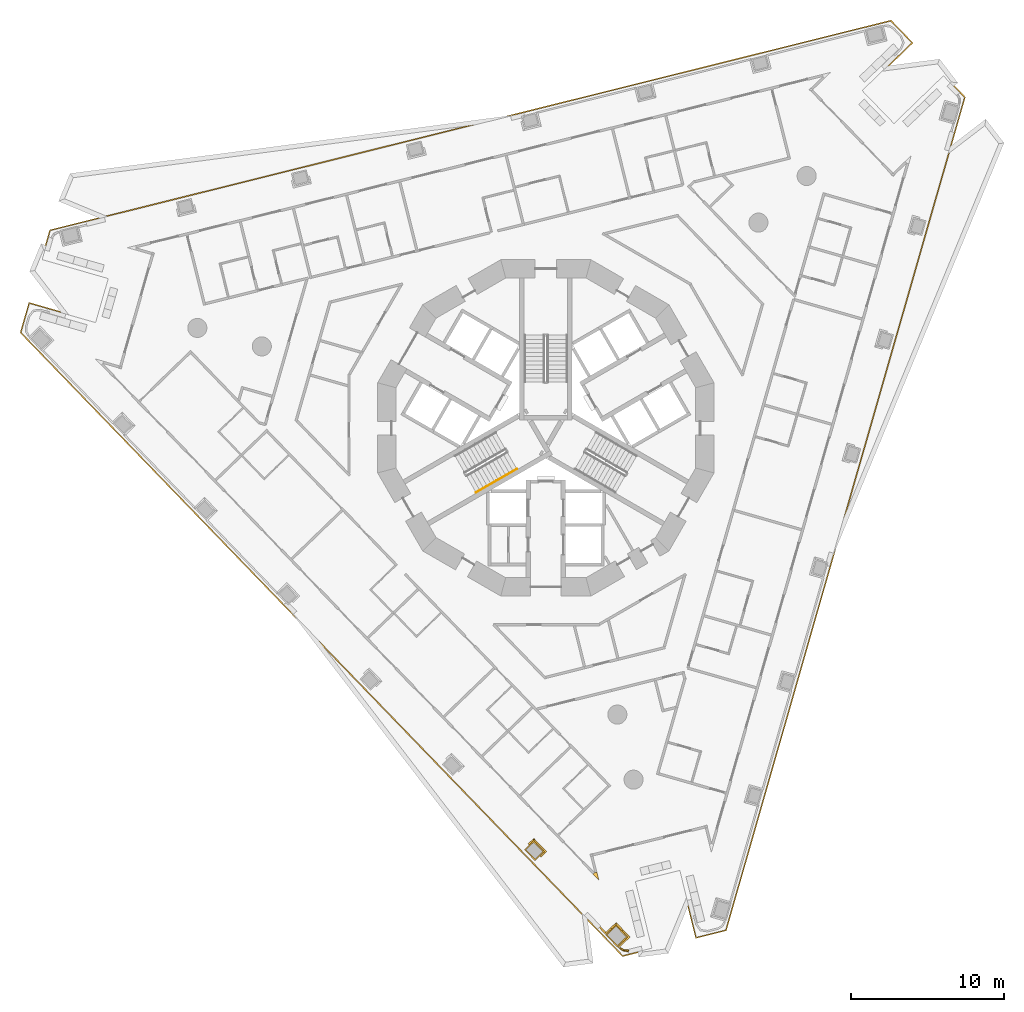
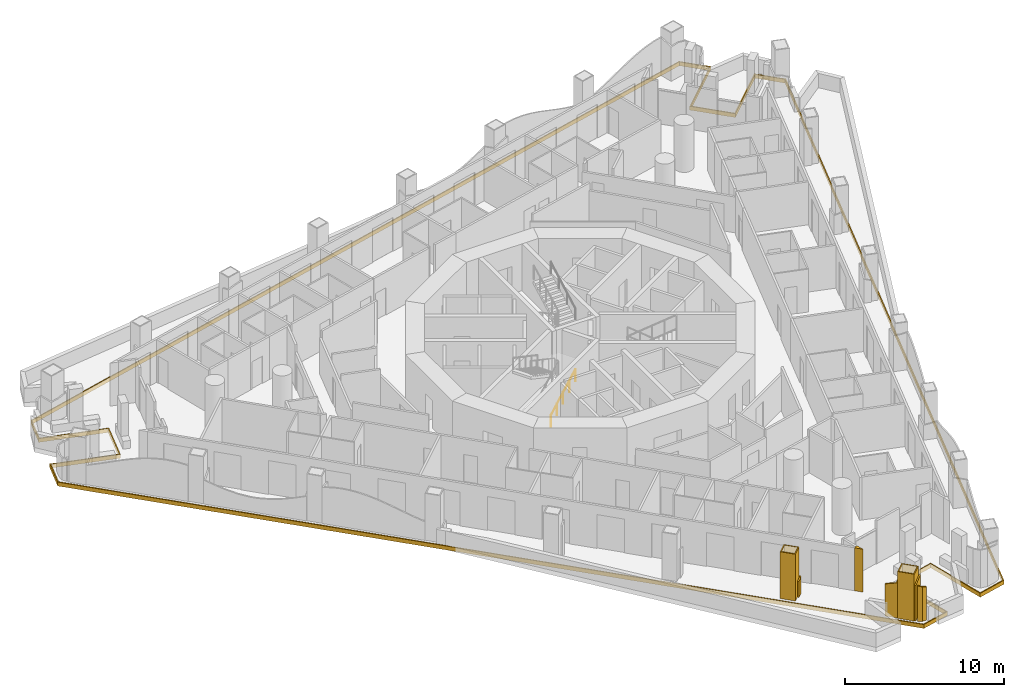
# One storey, part 13 of 19: 5 railings, 4 coverings.
"""IFC4 building model written with IfcOpenShell, lengths in metres."""

from ifc_helpers import new_model, si_unit, direction, frame, origin, origin_2d, place, context, subcontext, project, spatial, polyline, circle, outline, extrude, material, layer, layer_set, type_object, element, save


model = new_model("IFC4")

# Units and contexts
model_context = context("Model", 3, precision=1e-05, world=origin(), true_north=direction((0.0, 1.0)))
body_context = subcontext(model_context, "Body", "Model", "MODEL_VIEW")
ifc_project = project(units=[si_unit("LENGTHUNIT", "METRE"), si_unit("AREAUNIT", "SQUARE_METRE"), si_unit("VOLUMEUNIT", "CUBIC_METRE"), si_unit("PLANEANGLEUNIT", "RADIAN"), si_unit("MASSUNIT", "GRAM", prefix="KILO")], contexts=[model_context])

# Site, building, storey
site_placement = place(None, origin())
site = spatial("IfcSite", under=ifc_project, at=site_placement, CompositionType="ELEMENT")
building_placement = place(site_placement, origin())
building = spatial("IfcBuilding", under=site, at=building_placement, Name="Trine Commons Tower", CompositionType="ELEMENT")
storey_placement = place(building_placement, frame((0.0, 0.0, 87.300048828125)))
storey = spatial("IfcBuildingStorey", under=building, at=storey_placement, Name="L21", CompositionType="ELEMENT", Elevation=87.300048828125)

# Coverings
ifc_material_1 = material(Name="Aluminium-framed insulated wall panel", Category="aluminium")
ifc_layer_1 = layer(ifc_material_1, 0.14990234375)
ifc_layer_set_1 = layer_set([ifc_layer_1], Name="Aluminium-framed insulated wall panel")
covering_type_1 = type_object("IfcCoveringType", Name="Glazing corner post, aluminium", PredefinedType="CLADDING", material=ifc_layer_set_1)
covering_1_placement = place(storey_placement, origin())
element("IfcCovering", 1, at=covering_1_placement, inside=storey, type_object=covering_type_1, Name="Glazing corner post 3-12", PredefinedType="CLADDING", context=body_context, shape_type="SweptSolid", body=[
    extrude(outline(polyline([(83.093017578125, 33.271484375), (83.48193359375, 32.868896484375), (83.346435546875, 33.412109375), (83.200927734375, 33.375732421875), (83.093017578125, 33.271484375)])), origin(), (0.0, 0.0, 1.0), 3.300048828125),
])
ifc_material_2 = material(Name="Limestone, honed", Category="masonry")
ifc_layer_2 = layer(ifc_material_2, 0.074951171875)
ifc_layer_set_2 = layer_set([ifc_layer_2], Name="Limestone, honed")
covering_type_2 = type_object("IfcCoveringType", Name="Limestone column cladding 75", PredefinedType="CLADDING", material=ifc_layer_set_2)
covering_2_placement = place(storey_placement, origin())
element("IfcCovering", 2, at=covering_2_placement, inside=storey, type_object=covering_type_2, Name="Limestone pier cladding 3-01", PredefinedType="CLADDING", context=body_context, shape_type="SweptSolid", body=[
    extrude(outline(polyline([(84.600341796875, 29.961669921875), (83.9169921875, 29.3017578125), (84.68115234375, 28.510498046875), (85.364501953125, 29.17041015625), (84.600341796875, 29.961669921875)]), holes=[polyline([(84.598388671875, 29.85546875), (84.02294921875, 29.2998046875), (84.682861328125, 28.616455078125), (85.25830078125, 29.172119140625), (84.598388671875, 29.85546875)])]), origin(), (0.0, 0.0, 1.0), 3.599853515625),
])
covering_3_placement = place(storey_placement, origin())
element("IfcCovering", 3, at=covering_3_placement, inside=storey, type_object=covering_type_2, Name="Limestone pier cladding 3-02", PredefinedType="CLADDING", context=body_context, shape_type="SweptSolid", body=[
    extrude(outline(polyline([(79.210205078125, 35.47119140625), (78.5986328125, 34.880859375), (79.293212890625, 34.16162109375), (79.90478515625, 34.751953125), (79.210205078125, 35.47119140625)]), holes=[polyline([(79.208251953125, 35.365234375), (78.70458984375, 34.87890625), (79.295166015625, 34.267578125), (79.798583984375, 34.75390625), (79.208251953125, 35.365234375)])]), origin(), (0.0, 0.0, 1.0), 3.599853515625),
])
ifc_layer_3 = layer(ifc_material_2, 0.074951171875)
ifc_layer_set_3 = layer_set([ifc_layer_3], Name="Limestone, honed")
covering_type_3 = type_object("IfcCoveringType", Name="Limestone spandrel panel 75", PredefinedType="CLADDING", material=ifc_layer_set_3)
covering_4_placement = place(storey_placement, frame((0.0, 0.0, -0.300048828125)))
element("IfcCovering", 4, at=covering_4_placement, inside=storey, type_object=covering_type_3, Name="Limestone spandrel panel 3-01", PredefinedType="CLADDING", context=body_context, shape_type="SweptSolid", body=[
    extrude(outline(polyline([(88.716064453125, 33.432373046875), (89.8046875, 29.06591796875), (91.8251953125, 29.56982421875), (107.478759765625, 84.159912109375), (106.031982421875, 85.657958984375), (102.795166015625, 82.531982421875), (100.815185546875, 84.58203125), (104.052490234375, 87.7080078125), (102.605712890625, 89.2060546875), (47.50244140625, 75.46728515625), (46.928466796875, 73.465576171875), (51.254150390625, 72.22509765625), (50.468505859375, 69.485595703125), (46.14306640625, 70.725830078125), (45.569091796875, 68.72412109375), (85.018798828125, 27.872802734375), (87.039306640625, 28.37646484375), (85.95068359375, 32.742919921875), (88.716064453125, 33.432373046875)]), holes=[polyline([(106.0302734375, 85.552001953125), (107.394775390625, 84.13916015625), (91.764892578125, 29.632080078125), (89.859375, 29.156982421875), (88.7705078125, 33.523193359375), (85.85986328125, 32.797607421875), (86.948486328125, 28.43115234375), (85.04248046875, 27.9560546875), (45.653076171875, 68.7451171875), (46.1943359375, 70.63330078125), (50.52001953125, 69.392822265625), (51.346923828125, 72.276611328125), (47.021240234375, 73.516845703125), (47.562744140625, 75.405029296875), (102.581787109375, 89.122802734375), (103.9462890625, 87.7099609375), (100.709228515625, 84.583984375), (102.793212890625, 82.426025390625), (106.0302734375, 85.552001953125)])]), origin(), (0.0, 0.0, 1.0), 0.300048828125),
])

# Railings
ifc_material_3 = material(Name="Stainless steel handrail", Category="steel")
railing_type_1 = type_object("IfcRailingType", Name="Stair handrail, steel 900", PredefinedType="HANDRAIL", material=ifc_material_3)
railing_1_placement = place(storey_placement, frame((75.43017578125, 58.27392578125, 0.14990234375)))
element("IfcRailing", 5, at=railing_1_placement, inside=storey, type_object=railing_type_1, Name="L21 ST2A stair handrail 1", PredefinedType="HANDRAIL", context=body_context, shape_type="SweptSolid", body=[
    extrude(circle(Radius=0.02099609375, at=origin_2d()), frame((0.0, 0.0, 0.87890625), z_axis=(0.76340495495, 0.440743040072, 0.472184759798), x_axis=(-0.499992328818, 0.866029832698, 0.0)), (0.0, 0.0, 1.0), 1.7470703125),
    extrude(circle(Radius=0.01513671875, at=origin_2d()), origin(), (0.0, 0.0, 1.0), 0.85791015625),
    extrude(circle(Radius=0.01513671875, at=origin_2d()), frame((0.6669921875, 0.385009765625, 0.41259765625)), (0.0, 0.0, 1.0), 0.85791015625),
    extrude(circle(Radius=0.01513671875, at=origin_2d()), frame((1.333740234375, 0.77001953125, 0.824951171875)), (0.0, 0.0, 1.0), 0.85791015625),
])
railing_2_placement = place(storey_placement, frame((76.763916015625, 59.0439453125, 0.974853515625)))
element("IfcRailing", 6, at=railing_2_placement, inside=storey, type_object=railing_type_1, Name="L21 ST2A stair handrail 2", PredefinedType="HANDRAIL", context=body_context, shape_type="SweptSolid", body=[
    extrude(circle(Radius=0.02099609375, at=origin_2d()), frame((0.0, 0.0, 0.87890625), z_axis=(0.763354580307, 0.440713956853, 0.472293333596), x_axis=(-0.499992328818, 0.866029832698, 0.0)), (0.0, 0.0, 1.0), 1.747314453125),
    extrude(circle(Radius=0.01513671875, at=origin_2d()), origin(), (0.0, 0.0, 1.0), 0.85791015625),
    extrude(circle(Radius=0.01513671875, at=origin_2d()), frame((0.6669921875, 0.385009765625, 0.41259765625)), (0.0, 0.0, 1.0), 0.85791015625),
    extrude(circle(Radius=0.01513671875, at=origin_2d()), frame((1.333740234375, 0.77001953125, 0.8251953125)), (0.0, 0.0, 1.0), 0.85791015625),
])
ifc_material_4 = material(Name="White powder-coated aluminium", Category="aluminium")
ifc_layer_4 = layer(ifc_material_4, 0.10009765625)
ifc_layer_set_4 = layer_set([ifc_layer_4], Name="White powder-coated aluminium")
railing_type_2 = type_object("IfcRailingType", Name="White balustrade band 100", PredefinedType="GUARDRAIL", material=ifc_layer_set_4)
railing_3_placement = place(storey_placement, origin())
element("IfcRailing", 7, at=railing_3_placement, inside=storey, type_object=railing_type_2, Name="Guard band L21", PredefinedType="GUARDRAIL", context=body_context, shape_type="SweptSolid", body=[
    extrude(outline(polyline([(0.0, 0.0), (0.515625, 0.0), (0.515625, 1.314453125), (0.515625, 1.314453125), (0.022705078125, 1.209716796875), (0.0, 1.206298828125), (0.0, 0.0)])), frame((79.620361328125, 34.463623046875, 0.0), z_axis=(0.694450883148, -0.719540110692, 0.0), x_axis=(0.719540110692, 0.694450883148, 0.0)), (0.0, 0.0, 1.0), 0.10009765625),
    extrude(outline(polyline([(0.0, 0.0), (1.22119140625, 0.0), (1.22119140625, 1.651123046875), (0.610595703125, 1.453125), (0.0, 1.29052734375), (0.0, 0.0)])), frame((79.98876953125, 34.679443359375, 0.0), z_axis=(0.719294666676, 0.694705104697, 0.0), x_axis=(-0.694705104697, 0.719294666676, 0.0)), (0.0, 0.0, 1.0), 0.10009765625),
    extrude(outline(polyline([(0.0, 0.0), (0.515625, 0.0), (0.515625, 1.799072265625), (0.493408203125, 1.790771484375), (0.0, 1.6162109375), (0.0, 0.0)])), frame((79.28271484375, 35.555419921875, 0.0), z_axis=(-0.694687468019, 0.719311700014, 0.0), x_axis=(-0.719311700014, -0.694687468019, 0.0)), (0.0, 0.0, 1.0), 0.10009765625),
])
railing_4_placement = place(storey_placement, origin())
element("IfcRailing", 8, at=railing_4_placement, inside=storey, type_object=railing_type_2, Name="Guard band L21 20", PredefinedType="GUARDRAIL", context=body_context, shape_type="SweptSolid", body=[
    extrude(outline(polyline([(0.0, 0.0), (0.294677734375, 0.0), (0.294677734375, 2.650634765625), (0.0, 2.56884765625), (0.0, 0.0)])), frame((85.4111328125, 28.21240234375, 0.0), z_axis=(0.017395875962, 0.999848680301, 0.0), x_axis=(-0.999848680301, 0.017395875962, 0.0)), (0.0, 0.0, 1.0), 0.10009765625),
    extrude(outline(polyline([(0.0, 0.0), (0.332763671875, 0.0), (0.33251953125, 2.72412109375), (0.0, 2.64306640625), (0.0, 0.0)])), frame((85.118408203125, 28.216796875, 0.0), z_axis=(0.515143098821, 0.857104187212, 0.0), x_axis=(-0.857104187212, 0.515143098821, 0.0)), (0.0, 0.0, 1.0), 0.10009765625),
])
railing_5_placement = place(storey_placement, origin())
element("IfcRailing", 9, at=railing_5_placement, inside=storey, type_object=railing_type_2, Name="Guard band L21 21", PredefinedType="GUARDRAIL", context=body_context, shape_type="SweptSolid", body=[
    extrude(outline(polyline([(0.0, 0.0), (1.037109375, 0.0), (1.036865234375, 2.88623046875), (0.5185546875, 2.832275390625), (0.0, 2.7392578125), (0.0, 0.0)])), frame((84.70556640625, 28.52001953125, 0.0), z_axis=(0.694758356005, -0.719243231988, 0.0), x_axis=(0.719243231988, 0.694758356005, 0.0)), (0.0, 0.0, 1.0), 0.10009765625),
    extrude(outline(polyline([(0.0, 0.0), (1.321533203125, 0.0), (1.3212890625, 2.6298828125), (0.66064453125, 2.8984375), (0.51806640625, 2.89990234375), (0.0, 2.87890625), (0.0, 0.0)])), frame((85.44873046875, 29.09765625, 0.0), z_axis=(0.719375994491, 0.694620888363, 0.0), x_axis=(-0.694620888363, 0.719375994491, 0.0)), (0.0, 0.0, 1.0), 0.10009765625),
    extrude(outline(polyline([(0.0, 0.0), (1.03662109375, 0.0), (1.03662109375, 2.673095703125), (0.518310546875, 2.780029296875), (0.0, 2.6298828125), (0.0, 0.0)])), frame((84.6728515625, 30.0458984375, 0.0), z_axis=(-0.694754208528, 0.719247238252, 0.0), x_axis=(-0.719247238252, -0.694754208528, 0.0)), (0.0, 0.0, 1.0), 0.10009765625),
    extrude(outline(polyline([(0.0, 0.0), (0.8154296875, 0.0), (0.8154296875, 2.466064453125), (0.743408203125, 2.490966796875), (0.0, 2.69775390625), (0.0, 0.0)])), frame((83.9287109375, 29.32568359375, 0.0), z_axis=(0.719422094834, 0.694573141912, 0.0), x_axis=(-0.694573141912, 0.719422094834, 0.0)), (0.0, 0.0, 1.0), 0.10009765625),
])

save(model, "model.ifc")
